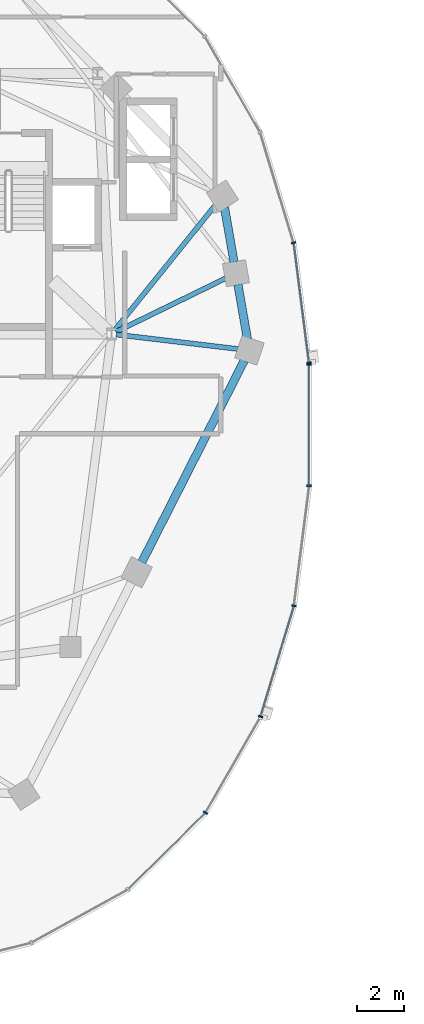
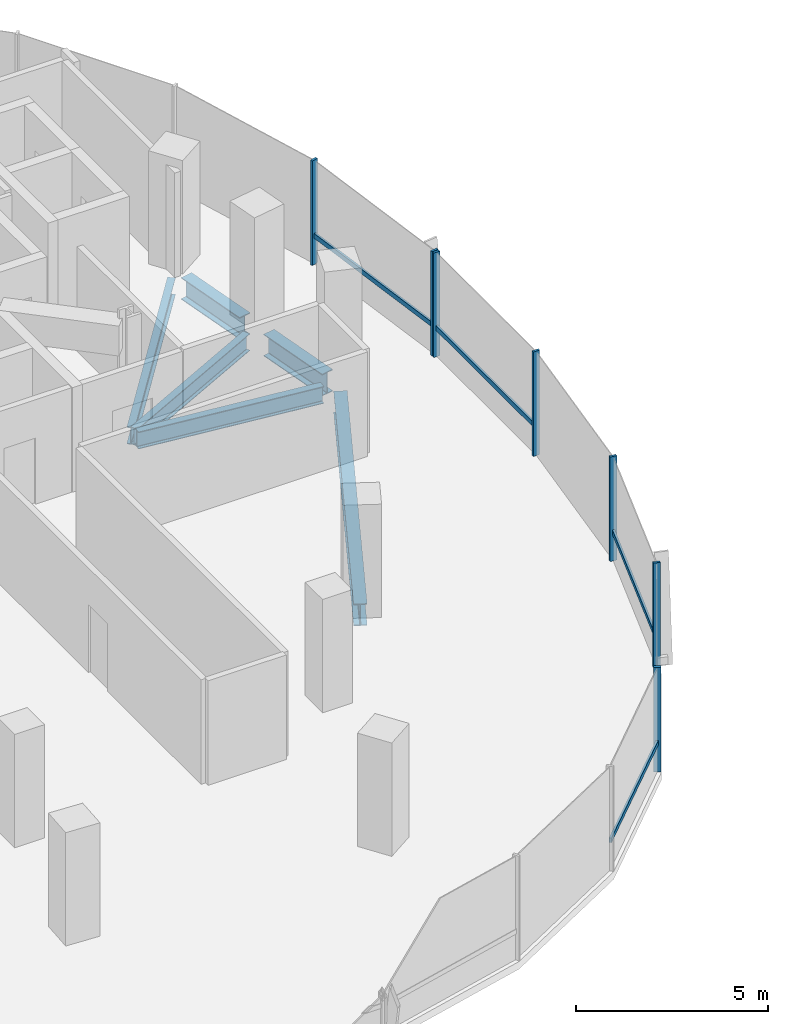
# One storey, part 4 of 21: 11 members, 6 beams, 2 elements without a shape of their own.
"""IFC4 building model written with IfcOpenShell, lengths in metres."""

from ifc_helpers import new_model, si_unit, direction, frame, origin, origin_2d, place, context, subcontext, project, spatial, rectangle, i_section, extrude, material, material_profile, profile_set, type_object, element, aggregate, save


model = new_model("IFC4")

# Units and contexts
model_context = context("Model", 3, precision=1e-05, world=origin(), true_north=direction((0.0, 1.0)))
body_context = subcontext(model_context, "Body", "Model", "MODEL_VIEW")
ifc_project = project(units=[si_unit("LENGTHUNIT", "METRE"), si_unit("AREAUNIT", "SQUARE_METRE"), si_unit("VOLUMEUNIT", "CUBIC_METRE"), si_unit("PLANEANGLEUNIT", "RADIAN"), si_unit("MASSUNIT", "GRAM", prefix="KILO"), si_unit("THERMODYNAMICTEMPERATUREUNIT", "KELVIN"), si_unit("POWERUNIT", "WATT")], contexts=[model_context])

# Site, building, storey
site_placement = place(None, origin())
site = spatial("IfcSite", under=ifc_project, at=site_placement, CompositionType="ELEMENT")
building_placement = place(site_placement, origin())
building = spatial("IfcBuilding", under=site, at=building_placement, Name="Cundina Bronze Exchange", CompositionType="ELEMENT")
storey_placement = place(building_placement, frame((0.0, 0.0, 183.60009765625)))
storey = spatial("IfcBuildingStorey", under=building, at=storey_placement, Name="L48", CompositionType="ELEMENT", Elevation=183.60009765625)

# Beams
ifc_material_1 = material(Name="Steel ASTM A992 Grade 50", Category="steel")
ifc_material_profile_1 = material_profile(ifc_material_1, i_section(OverallWidth=0.2119140625, OverallDepth=0.5439453125, WebThickness=0.01318359375, FlangeThickness=0.021240234375, FilletRadius=0.013916015625, at=origin_2d()), Name="W21X83", Category="steel")
ifc_profile_set_1 = profile_set([ifc_material_profile_1], Name="Steel ASTM A992 Grade 50")
beam_type_1 = type_object("IfcBeamType", Name="BM-FLR-W21A", PredefinedType="BEAM", material=ifc_profile_set_1)
beam_1_placement = place(storey_placement, frame((-21.247314453125, 3.8759765625, -0.51220703125), z_axis=(0.993036158382, -0.11780996624, 0.0), x_axis=(0.11780996624, 0.993036158382, 0.0)))
element("IfcBeam", 1, at=beam_1_placement, inside=storey, type_object=beam_type_1, Name="L48 Leg W Radial Floor Beam 00", PredefinedType="BEAM", context=body_context, shape_type="SweptSolid", body=[
    extrude(i_section(OverallWidth=0.2119140625, OverallDepth=0.5439453125, WebThickness=0.01318359375, FlangeThickness=0.021240234375, FilletRadius=0.013916015625, at=origin_2d()), origin(), (0.0, 0.0, 1.0), 5.249267578125),
])
beam_2_placement = place(storey_placement, frame((-21.2666015625, 3.989501953125, -0.51220703125), z_axis=(0.898604300669, 0.438759969481, 0.0), x_axis=(-0.438759969481, 0.898604300669, 0.0)))
element("IfcBeam", 2, at=beam_2_placement, inside=storey, type_object=beam_type_1, Name="L48 Leg W Radial Floor Beam 01", PredefinedType="BEAM", context=body_context, shape_type="SweptSolid", body=[
    extrude(i_section(OverallWidth=0.2119140625, OverallDepth=0.5439453125, WebThickness=0.01318359375, FlangeThickness=0.021240234375, FilletRadius=0.013916015625, at=origin_2d()), origin(), (0.0, 0.0, 1.0), 5.23388671875),
])
beam_3_placement = place(storey_placement, frame((-21.322021484375, 4.058837890625, -0.51220703125), z_axis=(0.627088684379, 0.778947868553, 0.0), x_axis=(-0.778947868553, 0.627088684379, 0.0)))
element("IfcBeam", 3, at=beam_3_placement, inside=storey, type_object=beam_type_1, Name="L48 Leg W Radial Floor Beam 02", PredefinedType="BEAM", context=body_context, shape_type="SweptSolid", body=[
    extrude(i_section(OverallWidth=0.2119140625, OverallDepth=0.5439453125, WebThickness=0.01318359375, FlangeThickness=0.021240234375, FilletRadius=0.013916015625, at=origin_2d()), origin(), (0.0, 0.0, 1.0), 6.882568359375),
])
ifc_material_profile_2 = material_profile(ifc_material_1, i_section(OverallWidth=0.35498046875, OverallDepth=0.695068359375, WebThickness=0.015380859375, FlangeThickness=0.02490234375, FilletRadius=0.01806640625, at=origin_2d()), Name="W27X146", Category="steel")
ifc_profile_set_2 = profile_set([ifc_material_profile_2], Name="Steel ASTM A992 Grade 50")
beam_type_2 = type_object("IfcBeamType", Name="BM-RING-W27", PredefinedType="USERDEFINED", material=ifc_profile_set_2)
for number, where, z_axis, x_axis, name in (
    (4, (-15.6337890625, 3.680908203125, -0.587646484375), (-0.171666718895, 0.985155083032, 0.0), (-0.985155083032, -0.171666718895, 0.0), "L48 W Perimeter Ring Girder 00"),
    (5, (-16.208740234375, 6.980712890625, -0.587646484375), (-0.171666718895, 0.985155083032, 0.0), (-0.985155083032, -0.171666718895, 0.0), "L48 W Perimeter Ring Girder 01"),
):
    element("IfcBeam", number, at=place(storey_placement, frame(where, z_axis=z_axis, x_axis=x_axis)), inside=storey, type_object=beam_type_2, Name=name, ObjectType="GIRDER", PredefinedType="USERDEFINED", context=body_context, shape_type="SweptSolid", body=[
        extrude(i_section(OverallWidth=0.35498046875, OverallDepth=0.695068359375, WebThickness=0.015380859375, FlangeThickness=0.02490234375, FilletRadius=0.01806640625, at=origin_2d()), origin(), (0.0, 0.0, 1.0), 2.37353515625),
    ])
beam_4_placement = place(storey_placement, frame((-20.154052734375, -5.864990234375, -0.587646484375), z_axis=(0.452834585354, 0.891594548159, 0.0), x_axis=(-0.891594548159, 0.452834585354, 0.0)))
element("IfcBeam", 6, at=beam_4_placement, inside=storey, type_object=beam_type_2, Name="L48 W Perimeter Ring Girder 13", ObjectType="GIRDER", PredefinedType="USERDEFINED", context=body_context, shape_type="SweptSolid", body=[
    extrude(i_section(OverallWidth=0.35498046875, OverallDepth=0.695068359375, WebThickness=0.015380859375, FlangeThickness=0.02490234375, FilletRadius=0.01806640625, at=origin_2d()), origin(), (0.0, 0.0, 1.0), 9.67919921875),
])

# Curtain wall, members
ifc_material_2 = material(Name="Anodised Bronze Aluminium 6063-T6", Category="aluminium")
curtain_wall_type = type_object("IfcCurtainWallType", Name="CWS-WST-PIN", PredefinedType="NOTDEFINED", material=ifc_material_2)
curtain_wall_1_placement = place(storey_placement, origin())
curtain_wall_1 = element("IfcCurtainWall", 7, at=curtain_wall_1_placement, inside=storey, type_object=curtain_wall_type, Name="L48 CW-04 Curtain Wall Run CWR-L48-W1", PredefinedType="NOTDEFINED")
ifc_material_profile_3 = material_profile(ifc_material_2, rectangle(XDim=0.070068359375, YDim=0.18994140625, at=origin_2d()), Name="AL70X190", Category="aluminium")
ifc_profile_set_3 = profile_set([ifc_material_profile_3], Name="Anodised Bronze Aluminium 6063-T6")
member_type_1 = type_object("IfcMemberType", Name="CWM-MUL-190", PredefinedType="MULLION", material=ifc_profile_set_3)
member_1_placement = place(storey_placement, frame((-12.998291015625, 2.676025390625, 0.0), z_axis=(0.0, 0.0, 1.0), x_axis=(-0.126545236492, 0.991960837494, 0.0)))
member_1 = element("IfcMember", 8, at=member_1_placement, type_object=member_type_1, Name="CW-04 Mullion 1", PredefinedType="MULLION", context=body_context, shape_type="SweptSolid", body=[
    extrude(rectangle(XDim=0.070068359375, YDim=0.18994140625, at=origin_2d()), origin(), (0.0, 0.0, 1.0), 3.31982421875),
])
member_2_placement = place(storey_placement, frame((-13.6591796875, 7.80859375, 0.0), z_axis=(0.0, 0.0, 1.0), x_axis=(-0.290034140915, 0.957016299288, 0.0)))
member_2 = element("IfcMember", 9, at=member_2_placement, type_object=member_type_1, Name="CW-04 Mullion 2", PredefinedType="MULLION", context=body_context, shape_type="SweptSolid", body=[
    extrude(rectangle(XDim=0.070068359375, YDim=0.18994140625, at=origin_2d()), origin(), (0.0, 0.0, 1.0), 3.31982421875),
])

curtain_wall_2_placement = place(storey_placement, origin())
curtain_wall_2 = element("IfcCurtainWall", 10, at=curtain_wall_2_placement, inside=storey, type_object=curtain_wall_type, Name="L48 CW-04 Curtain Wall Run CWR-L48-W4", PredefinedType="NOTDEFINED")
member_3_placement = place(storey_placement, frame((-17.42919921875, -16.588134765625, 0.0), z_axis=(0.0, 0.0, 1.0), x_axis=(0.498487739754, 0.866896748936, 0.0)))
member_3 = element("IfcMember", 11, at=member_3_placement, type_object=member_type_1, Name="CW-04 Mullion 4", PredefinedType="MULLION", context=body_context, shape_type="SweptSolid", body=[
    extrude(rectangle(XDim=0.070068359375, YDim=0.18994140625, at=origin_2d()), origin(), (0.0, 0.0, 1.0), 3.31982421875),
])
member_4_placement = place(storey_placement, frame((-15.07373046875, -12.4755859375, 0.0), z_axis=(0.0, 0.0, 1.0), x_axis=(0.290034140915, 0.957016299288, 0.0)))
member_4 = element("IfcMember", 12, at=member_4_placement, type_object=member_type_1, Name="CW-04 Mullion 5", PredefinedType="MULLION", context=body_context, shape_type="SweptSolid", body=[
    extrude(rectangle(XDim=0.070068359375, YDim=0.18994140625, at=origin_2d()), origin(), (0.0, 0.0, 1.0), 3.31982421875),
])
member_5_placement = place(storey_placement, frame((-13.642822265625, -7.731689453125, 0.0), z_axis=(0.0, 0.0, 1.0), x_axis=(0.126545236492, 0.991960837494, 0.0)))
member_5 = element("IfcMember", 13, at=member_5_placement, type_object=member_type_1, Name="CW-04 Mullion 6", PredefinedType="MULLION", context=body_context, shape_type="SweptSolid", body=[
    extrude(rectangle(XDim=0.070068359375, YDim=0.18994140625, at=origin_2d()), origin(), (0.0, 0.0, 1.0), 3.31982421875),
])
member_6_placement = place(storey_placement, frame((-12.992919921875, -2.593017578125, 0.0), z_axis=(0.0, 0.0, 1.0), x_axis=(0.0, 1.0, 0.0)))
member_6 = element("IfcMember", 14, at=member_6_placement, type_object=member_type_1, Name="CW-04 Mullion 7", PredefinedType="MULLION", context=body_context, shape_type="SweptSolid", body=[
    extrude(rectangle(XDim=0.070068359375, YDim=0.18994140625, at=origin_2d()), origin(), (0.0, 0.0, 1.0), 3.31982421875),
])
member_7_placement = place(storey_placement, frame((-12.992919921875, 2.593017578125, 0.0), z_axis=(0.0, 0.0, 1.0), x_axis=(0.0, 1.0, 0.0)))
member_7 = element("IfcMember", 15, at=member_7_placement, type_object=member_type_1, Name="CW-04 End Mullion", PredefinedType="MULLION", context=body_context, shape_type="SweptSolid", body=[
    extrude(rectangle(XDim=0.070068359375, YDim=0.18994140625, at=origin_2d()), origin(), (0.0, 0.0, 1.0), 3.31982421875),
])

# Member
ifc_material_profile_4 = material_profile(ifc_material_2, rectangle(XDim=0.06494140625, YDim=0.14990234375, at=origin_2d()), Name="AL65X150", Category="aluminium")
ifc_profile_set_4 = profile_set([ifc_material_profile_4], Name="Anodised Bronze Aluminium 6063-T6")
member_type_2 = type_object("IfcMemberType", Name="CWM-TRN-150", PredefinedType="USERDEFINED", material=ifc_profile_set_4)
member_8_placement = place(storey_placement, frame((-13.003173828125, 2.71435546875, 0.919921875), z_axis=(-0.12646340362, 0.991971273548, 0.0), x_axis=(-0.991971273548, -0.12646340362, 0.0)))
member_8 = element("IfcMember", 16, at=member_8_placement, type_object=member_type_2, Name="CW-04 Spandrel Transom 1", ObjectType="TRANSOM", PredefinedType="USERDEFINED", context=body_context, shape_type="SweptSolid", body=[
    extrude(rectangle(XDim=0.06494140625, YDim=0.14990234375, at=origin_2d()), origin(), (0.0, 0.0, 1.0), 5.0966796875),
])

aggregate(curtain_wall_1, [member_1, member_8, member_2])

member_9_placement = place(storey_placement, frame((-20.71337890625, -19.839599609375, 0.919921875), z_axis=(0.712005023839, 0.702174370102, 0.0), x_axis=(-0.702174370102, 0.712005023839, 0.0)))
member_9 = element("IfcMember", 17, at=member_9_placement, type_object=member_type_2, Name="CW-04 Spandrel Transom 3", ObjectType="TRANSOM", PredefinedType="USERDEFINED", context=body_context, shape_type="SweptSolid", body=[
    extrude(rectangle(XDim=0.06494140625, YDim=0.14990234375, at=origin_2d()), origin(), (0.0, 0.0, 1.0), 4.594482421875),
])

member_10_placement = place(storey_placement, frame((-15.062744140625, -12.43896484375, 0.919921875), z_axis=(0.290051855969, 0.957010930371, 0.0), x_axis=(-0.957010930371, 0.290051855969, 0.0)))
member_10 = element("IfcMember", 18, at=member_10_placement, type_object=member_type_2, Name="CW-04 Spandrel Transom 5", ObjectType="TRANSOM", PredefinedType="USERDEFINED", context=body_context, shape_type="SweptSolid", body=[
    extrude(rectangle(XDim=0.06494140625, YDim=0.14990234375, at=origin_2d()), origin(), (0.0, 0.0, 1.0), 4.876953125),
])

member_11_placement = place(storey_placement, frame((-12.992919921875, -2.554443359375, 0.919921875), z_axis=(0.0, 1.0, 0.0), x_axis=(-1.0, 0.0, 0.0)))
member_11 = element("IfcMember", 19, at=member_11_placement, type_object=member_type_2, Name="CW-04 Spandrel Transom 7", ObjectType="TRANSOM", PredefinedType="USERDEFINED", context=body_context, shape_type="SweptSolid", body=[
    extrude(rectangle(XDim=0.06494140625, YDim=0.14990234375, at=origin_2d()), origin(), (0.0, 0.0, 1.0), 5.10888671875),
])

aggregate(curtain_wall_2, [member_9, member_3, member_4, member_10, member_5, member_6, member_7, member_11])

save(model, "model.ifc")
